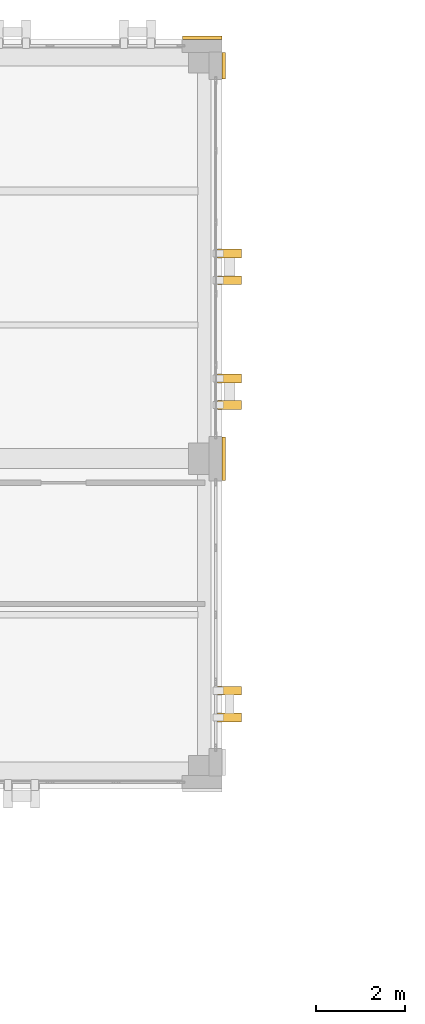
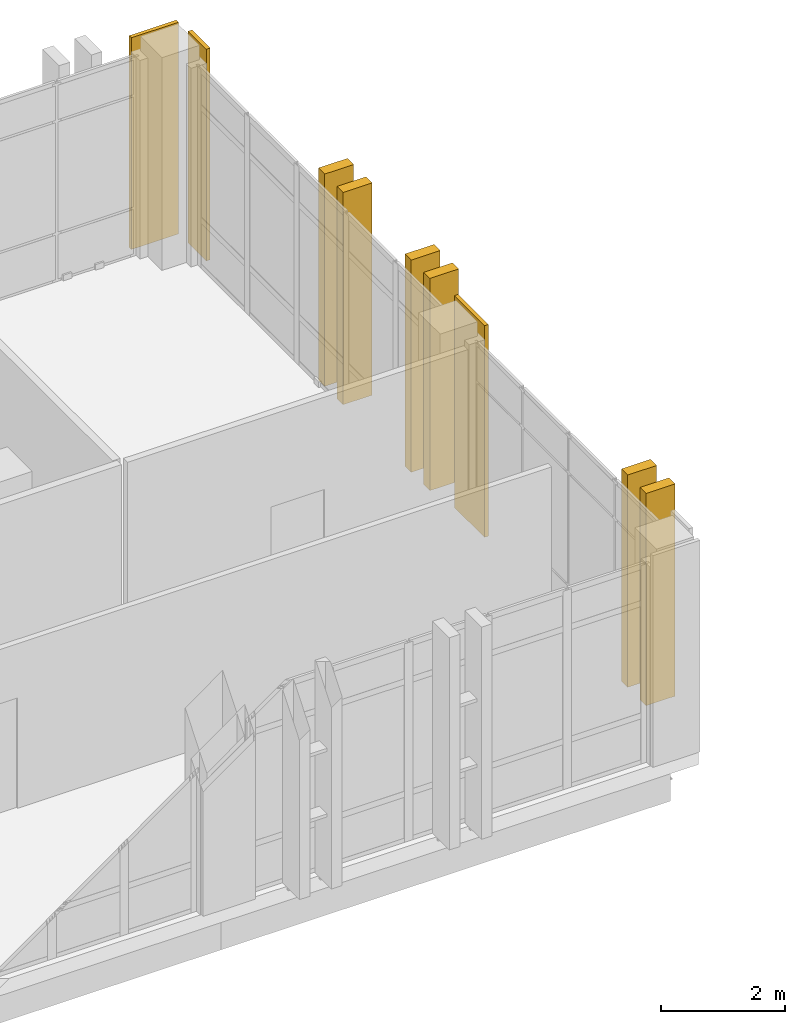
# One storey, part 160 of 165: 9 coverings.
"""IFC4 building model written with IfcOpenShell, lengths in metres."""

from ifc_helpers import new_model, si_unit, direction, frame, origin, origin_2d, place, context, subcontext, project, spatial, rectangle, extrude, material, layer, layer_set, type_object, element, save


model = new_model("IFC4")

# Units and contexts
model_context = context("Model", 3, precision=1e-05, world=origin(), true_north=direction((0.0, 1.0)))
body_context = subcontext(model_context, "Body", "Model", "MODEL_VIEW")
ifc_project = project(units=[si_unit("LENGTHUNIT", "METRE"), si_unit("AREAUNIT", "SQUARE_METRE"), si_unit("VOLUMEUNIT", "CUBIC_METRE"), si_unit("PLANEANGLEUNIT", "RADIAN"), si_unit("MASSUNIT", "GRAM", prefix="KILO")], contexts=[model_context])

# Site, building, storey
site_placement = place(None, origin())
site = spatial("IfcSite", under=ifc_project, at=site_placement, CompositionType="ELEMENT")
building_placement = place(site_placement, origin())
building = spatial("IfcBuilding", under=site, at=building_placement, Name="Qalavern Law Courts", CompositionType="ELEMENT")
storey_placement = place(building_placement, frame((0.0, 0.0, 14.39990234375)))
storey = spatial("IfcBuildingStorey", under=building, at=storey_placement, Name="L03", CompositionType="ELEMENT", Elevation=14.39990234375)

# Coverings
ifc_material = material(Name="Precast concrete C40/50", Category="concrete")
ifc_layer_1 = layer(ifc_material, 0.199951171875)
ifc_layer_set_1 = layer_set([ifc_layer_1], Name="Precast concrete C40/50")
covering_type_1 = type_object("IfcCoveringType", Name="ENV-BLD-1", PredefinedType="CLADDING", material=ifc_layer_set_1)
for number, where, z_axis, x_axis, name in (
    (1, (66.96240234375, 97.800048828125, 0.005126953125), (0.0, 0.0, 1.0), (1.0, 0.0, 0.0), "Absheron stone facade blade 1029"),
    (2, (66.96240234375, 98.39990234375, 0.005126953125), (0.0, 0.0, 1.0), (1.0, 0.0, 0.0), "Absheron stone facade blade 1030"),
    (3, (66.96240234375, 104.800048828125, 0.005126953125), (0.0, 0.0, 1.0), (1.0, 0.0, 0.0), "Absheron stone facade blade 1031"),
    (4, (66.96240234375, 105.39990234375, 0.005126953125), (0.0, 0.0, 1.0), (1.0, 0.0, 0.0), "Absheron stone facade blade 1032"),
    (5, (66.96240234375, 107.60009765625, 0.005126953125), (0.0, 0.0, 1.0), (1.0, 0.0, 0.0), "Absheron stone facade blade 1033"),
    (6, (66.96240234375, 108.199951171875, 0.005126953125), (0.0, 0.0, 1.0), (1.0, 0.0, 0.0), "Absheron stone facade blade 1034"),
):
    element("IfcCovering", number, at=place(storey_placement, frame(where, z_axis=z_axis, x_axis=x_axis)), inside=storey, type_object=covering_type_1, Name=name, PredefinedType="CLADDING", context=body_context, shape_type="SweptSolid", body=[
        extrude(rectangle(XDim=0.5400390625, YDim=0.199951171875, at=origin_2d()), origin(), (0.0, 0.0, 1.0), 4.18994140625),
    ])
ifc_layer_2 = layer(ifc_material, 0.072021484375)
ifc_layer_set_2 = layer_set([ifc_layer_2], Name="Precast concrete C40/50")
covering_type_2 = type_object("IfcCoveringType", Name="ENV-CLD-2", PredefinedType="CLADDING", material=ifc_layer_set_2)
covering_1_placement = place(storey_placement, frame((66.8330078125, 103.60009765625, 0.01025390625), z_axis=(0.0, 0.0, 1.0), x_axis=(0.0, 1.0, 0.0)))
element("IfcCovering", 7, at=covering_1_placement, inside=storey, type_object=covering_type_2, Name="V5 Absheron limestone pier facing L03 east 2", PredefinedType="CLADDING", context=body_context, shape_type="SweptSolid", body=[
    extrude(rectangle(XDim=0.97998046875, YDim=0.072021484375, at=origin_2d()), origin(), (0.0, 0.0, 1.0), 4.179931640625),
])
covering_2_placement = place(storey_placement, frame((66.8330078125, 112.405029296875, 0.01025390625), z_axis=(0.0, 0.0, 1.0), x_axis=(0.0, 1.0, 0.0)))
element("IfcCovering", 8, at=covering_2_placement, inside=storey, type_object=covering_type_2, Name="V5 Absheron limestone pier facing L03 east 3", PredefinedType="CLADDING", context=body_context, shape_type="SweptSolid", body=[
    extrude(rectangle(XDim=0.590087890625, YDim=0.072021484375, at=origin_2d()), origin(), (0.0, 0.0, 1.0), 4.179931640625),
])
covering_3_placement = place(storey_placement, frame((66.35009765625, 113.032958984375, 0.01025390625), z_axis=(0.0, 0.0, 1.0), x_axis=(-1.0, 0.0, 0.0)))
element("IfcCovering", 9, at=covering_3_placement, inside=storey, type_object=covering_type_2, Name="V5 Absheron limestone pier facing L03 north 1", PredefinedType="CLADDING", context=body_context, shape_type="SweptSolid", body=[
    extrude(rectangle(XDim=0.8798828125, YDim=0.072021484375, at=origin_2d()), origin(), (0.0, 0.0, 1.0), 4.179931640625),
])

save(model, "model.ifc")
